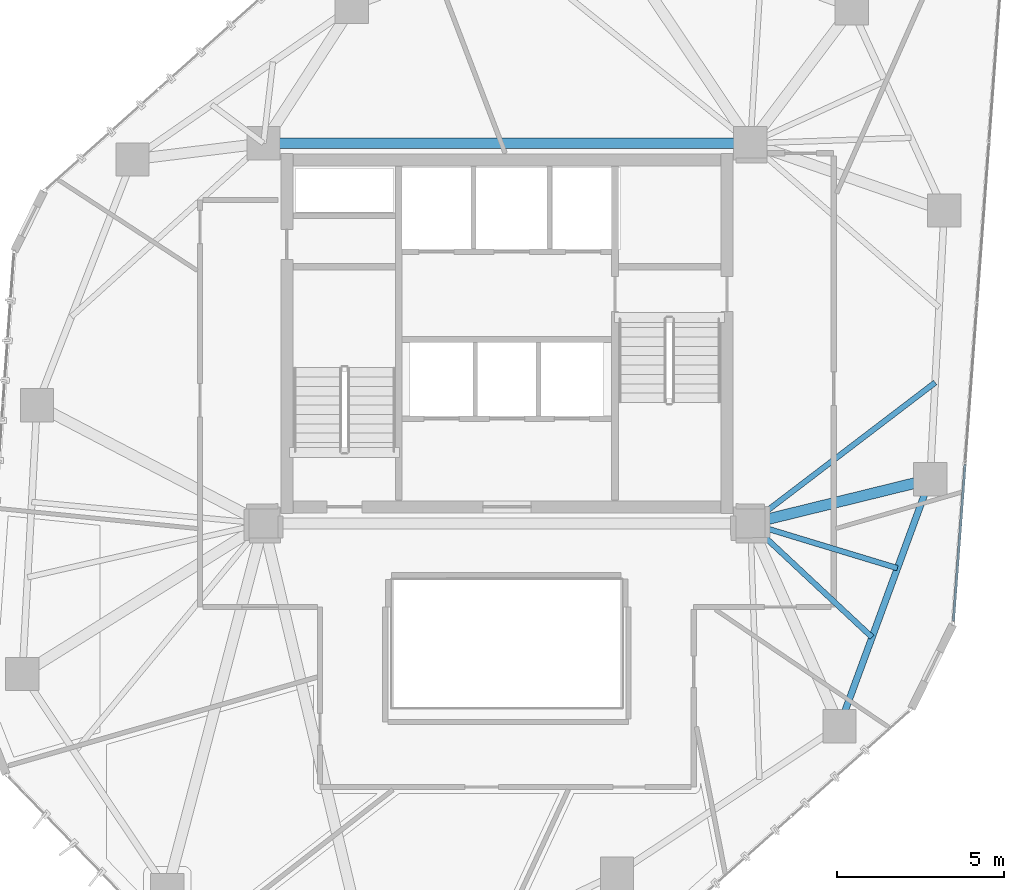
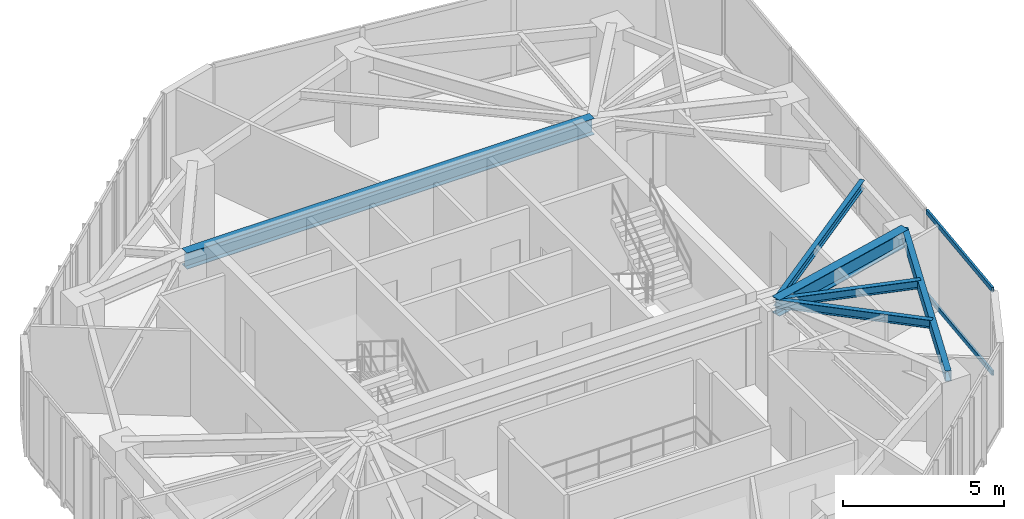
# One storey, part 10 of 19: 6 beams, 2 members, 1 element without a shape of its own.
"""IFC4 building model written with IfcOpenShell, lengths in metres."""

from ifc_helpers import new_model, si_unit, direction, frame, origin, origin_2d, place, context, subcontext, project, spatial, hollow_rectangle, i_section, extrude, source, transform, mapped, material, layer, layer_set, material_profile, profile_set, type_object, type_shapes, element, aggregate, save


model = new_model("IFC4")

# Units and contexts
model_context = context("Model", 3, precision=1e-05, world=origin(), true_north=direction((0.0, 1.0)))
body_context = subcontext(model_context, "Body", "Model", "MODEL_VIEW")
ifc_project = project(units=[si_unit("LENGTHUNIT", "METRE"), si_unit("AREAUNIT", "SQUARE_METRE"), si_unit("VOLUMEUNIT", "CUBIC_METRE"), si_unit("PLANEANGLEUNIT", "RADIAN"), si_unit("MASSUNIT", "GRAM", prefix="KILO")], contexts=[model_context])

# Site, building, storey
site_placement = place(None, origin())
site = spatial("IfcSite", under=ifc_project, at=site_placement, CompositionType="ELEMENT")
building_placement = place(site_placement, origin())
building = spatial("IfcBuilding", under=site, at=building_placement, Name="Talar Marvaseh", CompositionType="ELEMENT")
storey_placement = place(building_placement, frame((0.0, 0.0, 222.199951171875)))
storey = spatial("IfcBuildingStorey", under=building, at=storey_placement, Name="L58", CompositionType="ELEMENT", Elevation=222.199951171875)

# Beams
ifc_material_1 = material(Name="Steel S355", Category="steel")
ifc_material_profile_1 = material_profile(ifc_material_1, hollow_rectangle(XDim=0.199951171875, YDim=0.39990234375, WallThickness=0.013916015625, at=origin_2d()), Name="RHS400x200x14")
ifc_profile_set_1 = profile_set([ifc_material_profile_1], Name="Steel S355")
beam_type_1 = type_object("IfcBeamType", Name="Zone 3 Perimeter Spandrel Beam RHS400x200x14", PredefinedType="SPANDREL", material=ifc_profile_set_1)
beam_1_placement = place(storey_placement, frame((38.68896484375, 26.823974609375, 3.030029296875), z_axis=(-0.344742291376, -0.938697370049, 0.0), x_axis=(0.938697370049, -0.344742291376, 0.0)))
element("IfcBeam", 1, at=beam_1_placement, inside=storey, type_object=beam_type_1, Name="L58 Zone 3 Perimeter Spandrel Beam RHS400x200x14", PredefinedType="SPANDREL", context=body_context, shape_type="SweptSolid", body=[
    extrude(hollow_rectangle(XDim=0.199951171875, YDim=0.39990234375, WallThickness=0.013916015625, at=origin_2d()), origin(), (0.0, 0.0, 1.0), 7.88427734375),
])
ifc_material_profile_2 = material_profile(ifc_material_1, i_section(OverallWidth=0.324951171875, OverallDepth=0.615966796875, WebThickness=0.013916015625, FlangeThickness=0.021484375, at=origin_2d()), Name="W610x174")
ifc_profile_set_2 = profile_set([ifc_material_profile_2], Name="Steel S355")
beam_type_2 = type_object("IfcBeamType", Name="Zone 3 Radial Floor Girder W610x174", PredefinedType="BEAM", material=ifc_profile_set_2)
beam_2_placement = place(storey_placement, frame((18.699951171875, 36.89990234375, 2.922119140625), z_axis=(1.0, 0.0, 0.0), x_axis=(0.0, 1.0, 0.0)))
element("IfcBeam", 2, at=beam_2_placement, inside=storey, type_object=beam_type_2, Name="L58 Zone 3 Radial Floor Girder W610x174", PredefinedType="BEAM", context=body_context, shape_type="SweptSolid", body=[
    extrude(i_section(OverallWidth=0.324951171875, OverallDepth=0.615966796875, WebThickness=0.013916015625, FlangeThickness=0.021484375, at=origin_2d()), origin(), (0.0, 0.0, 1.0), 14.60009765625),
])
beam_3_placement = place(storey_placement, frame((38.68896484375, 26.823974609375, 2.922119140625), z_axis=(-0.971120507527, -0.238589521692, 0.0), x_axis=(0.238589521692, -0.971120507527, 0.0)))
element("IfcBeam", 3, at=beam_3_placement, inside=storey, type_object=beam_type_2, Name="L58 Zone 3 Radial Floor Girder W610x174", PredefinedType="BEAM", context=body_context, shape_type="SweptSolid", body=[
    extrude(i_section(OverallWidth=0.324951171875, OverallDepth=0.615966796875, WebThickness=0.013916015625, FlangeThickness=0.021484375, at=origin_2d()), origin(), (0.0, 0.0, 1.0), 5.549072265625),
])
ifc_material_profile_3 = material_profile(ifc_material_1, i_section(OverallWidth=0.166015625, OverallDepth=0.31298828125, WebThickness=0.006591796875, FlangeThickness=0.01123046875, at=origin_2d()), Name="W310x45")
ifc_profile_set_3 = profile_set([ifc_material_profile_3], Name="Steel S355")
beam_type_3 = type_object("IfcBeamType", Name="Zone 3 Secondary Floor Joist W310x45", PredefinedType="JOIST", material=ifc_profile_set_3)
beam_4_placement = place(storey_placement, frame((38.841552734375, 29.7255859375, 3.073486328125), z_axis=(-0.795190393297, -0.606359825852, 0.0), x_axis=(0.606359825852, -0.795190393297, 0.0)))
element("IfcBeam", 4, at=beam_4_placement, inside=storey, type_object=beam_type_3, Name="L58 Zone 3 Secondary Floor Joist W310x45", PredefinedType="JOIST", context=body_context, shape_type="SweptSolid", body=[
    extrude(i_section(OverallWidth=0.166015625, OverallDepth=0.31298828125, WebThickness=0.006591796875, FlangeThickness=0.01123046875, at=origin_2d()), origin(), (0.0, 0.0, 1.0), 6.96875),
])
beam_5_placement = place(storey_placement, frame((37.71044921875, 24.15966796875, 3.073486328125), z_axis=(-0.956792465721, 0.290771693153, 0.0), x_axis=(-0.290771693153, -0.956792465721, 0.0)))
element("IfcBeam", 5, at=beam_5_placement, inside=storey, type_object=beam_type_3, Name="L58 Zone 3 Secondary Floor Joist W310x45", PredefinedType="JOIST", context=body_context, shape_type="SweptSolid", body=[
    extrude(i_section(OverallWidth=0.166015625, OverallDepth=0.31298828125, WebThickness=0.006591796875, FlangeThickness=0.01123046875, at=origin_2d()), origin(), (0.0, 0.0, 1.0), 4.609619140625),
])
beam_6_placement = place(storey_placement, frame((36.949462890625, 22.08740234375, 3.073486328125), z_axis=(-0.730408226886, 0.683010850643, 0.0), x_axis=(-0.683010850643, -0.730408226886, 0.0)))
element("IfcBeam", 6, at=beam_6_placement, inside=storey, type_object=beam_type_3, Name="L58 Zone 3 Secondary Floor Joist W310x45", PredefinedType="JOIST", context=body_context, shape_type="SweptSolid", body=[
    extrude(i_section(OverallWidth=0.166015625, OverallDepth=0.31298828125, WebThickness=0.006591796875, FlangeThickness=0.01123046875, at=origin_2d()), origin(), (0.0, 0.0, 1.0), 4.996337890625),
])

# Curtain wall, members
ifc_material_2 = material(Name="Architectural Aluminium", Category="aluminium")
ifc_layer = layer(ifc_material_2, 0.18994140625)
ifc_layer_set = layer_set([ifc_layer], Name="Architectural Aluminium")
curtain_wall_type = type_object("IfcCurtainWallType", Name="Unitised Solar Atelier Curtain Wall Z3", PredefinedType="NOTDEFINED", material=ifc_layer_set)
curtain_wall_placement = place(storey_placement, origin())
curtain_wall = element("IfcCurtainWall", 7, at=curtain_wall_placement, inside=storey, type_object=curtain_wall_type, Name="L58 Unitised Solar Atelier Curtain Wall Z3", PredefinedType="NOTDEFINED")
ifc_material_profile_4 = material_profile(ifc_material_2, hollow_rectangle(XDim=0.074951171875, YDim=0.179931640625, WallThickness=0.0048828125, at=origin_2d()), Name="RHS180x75x5")
ifc_profile_set_4 = profile_set([ifc_material_profile_4], Name="Architectural Aluminium")
member_type = type_object("IfcMemberType", Name="Unitised Curtain Wall Transom RHS180x75x5", PredefinedType="USERDEFINED", material=ifc_profile_set_4)
shared_shape = source(origin(), body_context, "Body", "SweptSolid", [
    extrude(hollow_rectangle(XDim=0.074951171875, YDim=0.179931640625, WallThickness=0.0048828125, at=origin_2d()), origin(), (0.0, 0.0, 1.0), 4.70947265625),
])
type_shapes(member_type, [shared_shape])
member_1_placement = place(storey_placement, frame((39.73779296875, 27.266357421875, 0.03759765625), z_axis=(-0.07428604174, -0.997236974847, 0.0), x_axis=(0.997236974847, -0.07428604174, 0.0)))
member_1 = element("IfcMember", 8, at=member_1_placement, type_object=member_type, Name="CW-Z3 transom 4.1", ObjectType="TRANSOM", PredefinedType="USERDEFINED", context=body_context, shape_type="MappedRepresentation", body=[
    mapped(shared_shape, transform((0.0, 0.0, 0.0), x_axis=(1.0, 0.0, 0.0), y_axis=(0.0, 1.0, 0.0), z_axis=(0.0, 0.0, 1.0), scale=1.0)),
])
member_2_placement = place(storey_placement, frame((39.73779296875, 27.266357421875, 3.192626953125), z_axis=(-0.07428604174, -0.997236974847, 0.0), x_axis=(0.997236974847, -0.07428604174, 0.0)))
member_2 = element("IfcMember", 9, at=member_2_placement, type_object=member_type, Name="CW-Z3 transom 4.2", ObjectType="TRANSOM", PredefinedType="USERDEFINED", context=body_context, shape_type="MappedRepresentation", body=[
    mapped(shared_shape, transform((0.0, 0.0, 0.0), x_axis=(1.0, 0.0, 0.0), y_axis=(0.0, 1.0, 0.0), z_axis=(0.0, 0.0, 1.0), scale=1.0)),
])
aggregate(curtain_wall, [member_1, member_2])

save(model, "model.ifc")
